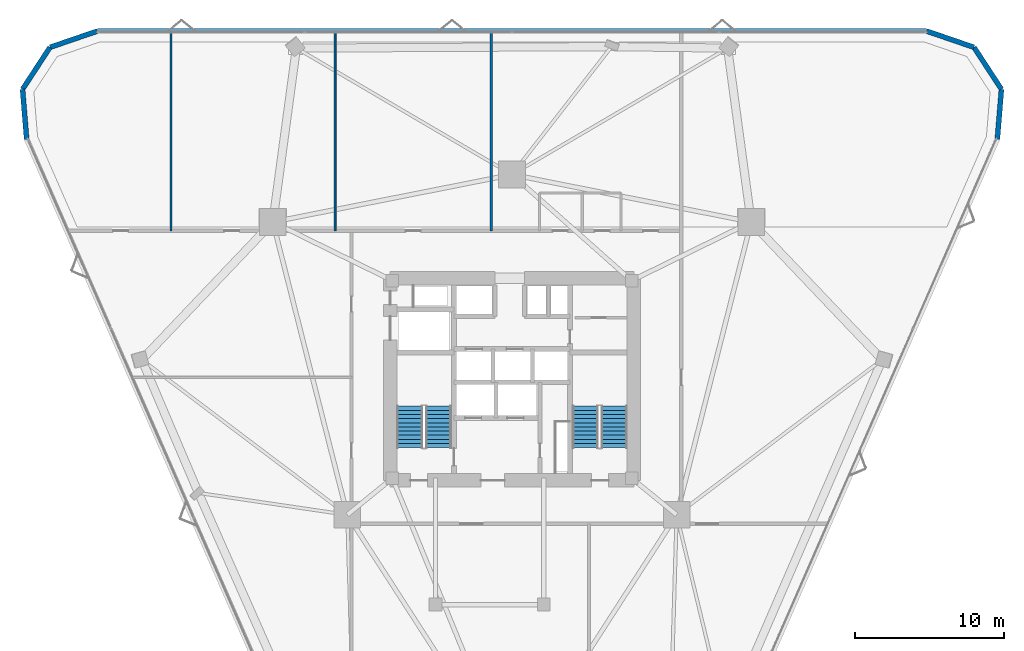
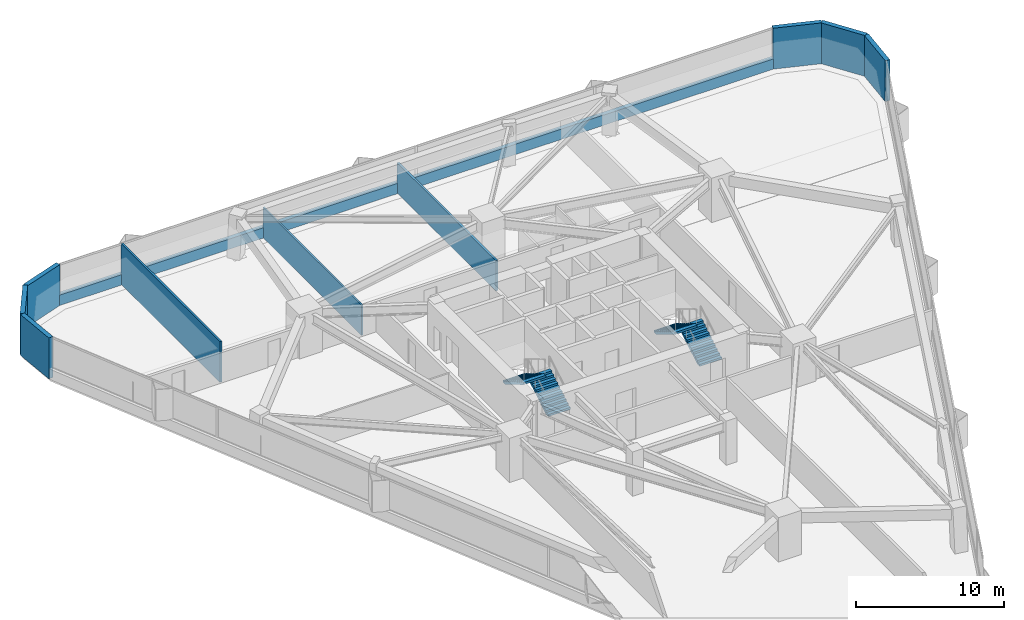
# One storey, part 19 of 21: 10 walls, 4 stair flights, 2 elements without a shape of their own.
"""IFC4 building model written with IfcOpenShell, lengths in metres."""

from ifc_helpers import new_model, si_unit, direction, frame, frame_2d, origin, place, context, subcontext, project, spatial, polyline, rectangle, outline, extrude, material, layer, layer_set, type_object, element, aggregate, save


model = new_model("IFC4")

# Units and contexts
model_context = context("Model", 3, precision=1e-05, world=origin(), true_north=direction((0.0, 1.0)))
body_context = subcontext(model_context, "Body", "Model", "MODEL_VIEW")
ifc_project = project(units=[si_unit("LENGTHUNIT", "METRE"), si_unit("AREAUNIT", "SQUARE_METRE"), si_unit("VOLUMEUNIT", "CUBIC_METRE"), si_unit("PLANEANGLEUNIT", "RADIAN"), si_unit("MASSUNIT", "GRAM", prefix="KILO")], contexts=[model_context])

# Site, building, storey
site_placement = place(None, origin())
site = spatial("IfcSite", under=ifc_project, at=site_placement, CompositionType="ELEMENT")
building_placement = place(site_placement, origin())
building = spatial("IfcBuilding", under=site, at=building_placement, Name="Talyreon Biosciences Tower", CompositionType="ELEMENT")
storey_placement = place(building_placement, frame((0.0, 0.0, 55.64990234375)))
storey = spatial("IfcBuildingStorey", under=building, at=storey_placement, Name="L14", CompositionType="ELEMENT", Elevation=55.64990234375)

# Walls
ifc_material_1 = material(Name="Gypsum acoustic stud partition", Category="gypsum")
ifc_layer_1 = layer(ifc_material_1, 0.159912109375)
ifc_layer_set_1 = layer_set([ifc_layer_1], Name="Gypsum acoustic stud partition")
wall_type_1 = type_object("IfcWallType", Name="LabSeparationPartition_160", PredefinedType="PARTITIONING", material=ifc_layer_set_1)
wall_1_placement = place(storey_placement, frame((43.041015625, 78.0, 0.0), z_axis=(0.0, 0.0, 1.0), x_axis=(0.0, 1.0, 0.0)))
element("IfcWall", 1, at=wall_1_placement, inside=storey, type_object=wall_type_1, Name="L14 Interior Wall IW-L14-NDIV1", PredefinedType="PARTITIONING", context=body_context, shape_type="SweptSolid", body=[
    extrude(rectangle(XDim=13.368896484375, YDim=0.159912109375, at=frame_2d((6.6845703125, 0.0))), origin(), (0.0, 0.0, 1.0), 3.375),
])
wall_2_placement = place(storey_placement, frame((64.60009765625, 78.0, 0.0), z_axis=(0.0, 0.0, 1.0), x_axis=(0.0, 1.0, 0.0)))
element("IfcWall", 2, at=wall_2_placement, inside=storey, type_object=wall_type_1, Name="L14 Interior Wall IW-L14-NDIV3", PredefinedType="PARTITIONING", context=body_context, shape_type="SweptSolid", body=[
    extrude(rectangle(XDim=13.368896484375, YDim=0.159912109375, at=frame_2d((6.6845703125, 0.0))), origin(), (0.0, 0.0, 1.0), 2.505126953125),
])
ifc_layer_2 = layer(ifc_material_1, 0.1298828125)
ifc_layer_set_2 = layer_set([ifc_layer_2], Name="Gypsum acoustic stud partition")
wall_type_2 = type_object("IfcWallType", Name="OfficeWriteupPartition_130", PredefinedType="PARTITIONING", material=ifc_layer_set_2)
wall_3_placement = place(storey_placement, frame((54.093994140625, 78.0, 0.0), z_axis=(0.0, 0.0, 1.0), x_axis=(0.0, 1.0, 0.0)))
element("IfcWall", 3, at=wall_3_placement, inside=storey, type_object=wall_type_2, Name="L14 Interior Wall IW-L14-NDIV2", PredefinedType="PARTITIONING", context=body_context, shape_type="SweptSolid", body=[
    extrude(rectangle(XDim=13.368896484375, YDim=0.1298828125, at=frame_2d((6.6845703125, 0.0))), origin(), (0.0, 0.0, 1.0), 2.505126953125),
])
ifc_material_2 = material(Name="Precast concrete C45/55", Category="concrete")
ifc_layer_3 = layer(ifc_material_2, 0.340087890625)
ifc_layer_set_3 = layer_set([ifc_layer_3], Name="Precast concrete C45/55")
wall_type_3 = type_object("IfcWallType", Name="PrecastConcreteSpandrelWall_340", PredefinedType="STANDARD", material=ifc_layer_set_3)
wall_4_placement = place(storey_placement, frame((33.32080078125, 84.168701171875, 0.0), z_axis=(0.0, 0.0, 1.0), x_axis=(-0.081866354697, 0.996643316322, 0.0)))
element("IfcWall", 4, at=wall_4_placement, inside=storey, type_object=wall_type_3, Name="L14 Rounded-Corner Concrete Pier 01", PredefinedType="STANDARD", context=body_context, shape_type="SweptSolid", body=[
    extrude(rectangle(XDim=3.375732421875, YDim=0.340087890625, at=frame_2d((1.68798828125, 0.0))), origin(), (0.0, 0.0, 1.0), 3.375),
])
for number, where, z_axis, x_axis, name in (
    (5, (33.04443359375, 87.533203125, 0.0), (0.0, 0.0, 1.0), (0.547284438328, 0.836946679045, 0.0), "L14 Rounded-Corner Concrete Pier 02"),
    (6, (34.891845703125, 90.3583984375, 0.0), (0.0, 0.0, 1.0), (0.945876821371, 0.324525867678, 0.0), "L14 Rounded-Corner Concrete Pier 03"),
):
    element("IfcWall", number, at=place(storey_placement, frame(where, z_axis=z_axis, x_axis=x_axis)), inside=storey, type_object=wall_type_3, Name=name, PredefinedType="STANDARD", context=body_context, shape_type="SweptSolid", body=[
        extrude(rectangle(XDim=3.37548828125, YDim=0.340087890625, at=frame_2d((1.687744140625, 0.0))), origin(), (0.0, 0.0, 1.0), 3.375),
    ])
wall_5_placement = place(storey_placement, frame((38.084716796875, 91.453857421875, 0.0), z_axis=(0.0, 0.0, 1.0), x_axis=(1.0, 0.0, 0.0)))
element("IfcWall", 7, at=wall_5_placement, inside=storey, type_object=wall_type_3, Name="L14 Expressed Concrete Sill Wall 04", PredefinedType="STANDARD", context=body_context, shape_type="SweptSolid", body=[
    extrude(rectangle(XDim=55.83056640625, YDim=0.340087890625, at=frame_2d((27.915283203125, 0.0))), origin(), (0.0, 0.0, 1.0), 0.85009765625),
])
for number, where, z_axis, x_axis, name in (
    (8, (93.915283203125, 91.453857421875, 0.0), (0.0, 0.0, 1.0), (0.945876821371, -0.324525867678, 0.0), "L14 Rounded-Corner Concrete Pier 05"),
    (9, (97.108154296875, 90.3583984375, 0.0), (0.0, 0.0, 1.0), (0.547284438328, -0.836946679045, 0.0), "L14 Rounded-Corner Concrete Pier 06"),
):
    element("IfcWall", number, at=place(storey_placement, frame(where, z_axis=z_axis, x_axis=x_axis)), inside=storey, type_object=wall_type_3, Name=name, PredefinedType="STANDARD", context=body_context, shape_type="SweptSolid", body=[
        extrude(rectangle(XDim=3.37548828125, YDim=0.340087890625, at=frame_2d((1.687744140625, 0.0))), origin(), (0.0, 0.0, 1.0), 3.375),
    ])
wall_6_placement = place(storey_placement, frame((98.95556640625, 87.533203125, 0.0), z_axis=(0.0, 0.0, 1.0), x_axis=(-0.081866354697, -0.996643316322, 0.0)))
element("IfcWall", 10, at=wall_6_placement, inside=storey, type_object=wall_type_3, Name="L14 Rounded-Corner Concrete Pier 07", PredefinedType="STANDARD", context=body_context, shape_type="SweptSolid", body=[
    extrude(rectangle(XDim=3.375732421875, YDim=0.340087890625, at=frame_2d((1.68798828125, 0.0))), origin(), (0.0, 0.0, 1.0), 3.375),
])

# Stair, stair flights
ifc_material_3 = material(Name="Concrete C40/50", Category="concrete")
stair_type = type_object("IfcStairType", Name="DoglegEscapeStair_3650", PredefinedType="HALF_TURN_STAIR", material=ifc_material_3)
stair_1_placement = place(storey_placement, origin())
stair_1 = element("IfcStair", 11, at=stair_1_placement, inside=storey, type_object=stair_type, Name="L14 Core Escape Stair 1", PredefinedType="HALF_TURN_STAIR")
stair_flight_type = type_object("IfcStairFlightType", Name="PrecastStairFlight_3650", PredefinedType="STRAIGHT", material=ifc_material_3)
stair_flight_1_placement = place(storey_placement, frame((61.06005859375, 63.39990234375, 0.0), z_axis=(0.0, 0.0, 1.0), x_axis=(0.0, 1.0, 0.0)))
stair_flight_1 = element("IfcStairFlight", 12, at=stair_flight_1_placement, type_object=stair_flight_type, Name="ST-1 flight 1", NumberOfRisers=11, NumberOfTreads=10, PredefinedType="STRAIGHT", RiserHeight=0.165909091, TreadLength=0.28, context=body_context, shape_type="SweptSolid", body=[
    extrude(outline(polyline([(0.0, 0.0), (0.0, 0.166015625), (0.280029296875, 0.166015625), (0.280029296875, 0.331787109375), (0.56005859375, 0.331787109375), (0.56005859375, 0.497802734375), (0.840087890625, 0.497802734375), (0.840087890625, 0.66357421875), (1.1201171875, 0.66357421875), (1.1201171875, 0.82958984375), (1.39990234375, 0.82958984375), (1.39990234375, 0.995361328125), (1.679931640625, 0.995361328125), (1.679931640625, 1.161376953125), (1.9599609375, 1.161376953125), (1.9599609375, 1.327392578125), (2.239990234375, 1.327392578125), (2.239990234375, 1.4931640625), (2.52001953125, 1.4931640625), (2.52001953125, 1.6591796875), (2.800048828125, 1.6591796875), (2.800048828125, 1.824951171875), (2.800048828125, 1.48486328125), (0.2939453125, 0.0), (0.0, 0.0)])), frame((0.0, 0.8701171875, 0.0), z_axis=(0.0, -1.0, 0.0), x_axis=(1.0, 0.0, 0.0)), (0.0, 0.0, 1.0), 1.739990234375),
])
stair_flight_2_placement = place(storey_placement, frame((59.1201171875, 66.199951171875, 1.8251953125), z_axis=(0.0, 0.0, 1.0), x_axis=(0.0, -1.0, 0.0)))
stair_flight_2 = element("IfcStairFlight", 13, at=stair_flight_2_placement, type_object=stair_flight_type, Name="ST-1 flight 2", NumberOfRisers=11, NumberOfTreads=10, PredefinedType="STRAIGHT", RiserHeight=0.165909091, TreadLength=0.28, context=body_context, shape_type="SweptSolid", body=[
    extrude(outline(polyline([(0.0, 0.0), (0.0, 0.166015625), (0.280029296875, 0.166015625), (0.280029296875, 0.331787109375), (0.56005859375, 0.331787109375), (0.56005859375, 0.497802734375), (0.840087890625, 0.497802734375), (0.840087890625, 0.66357421875), (1.1201171875, 0.66357421875), (1.1201171875, 0.82958984375), (1.39990234375, 0.82958984375), (1.39990234375, 0.995361328125), (1.679931640625, 0.995361328125), (1.679931640625, 1.161376953125), (1.9599609375, 1.161376953125), (1.9599609375, 1.327392578125), (2.239990234375, 1.327392578125), (2.239990234375, 1.4931640625), (2.52001953125, 1.4931640625), (2.52001953125, 1.6591796875), (2.800048828125, 1.6591796875), (2.800048828125, 1.824951171875), (2.800048828125, 1.48486328125), (0.2939453125, 0.0), (0.0, 0.0)])), frame((0.0, 0.8701171875, 0.0), z_axis=(0.0, -1.0, 0.0), x_axis=(1.0, 0.0, 0.0)), (0.0, 0.0, 1.0), 1.739990234375),
])
aggregate(stair_1, [stair_flight_1, stair_flight_2])

stair_2_placement = place(storey_placement, origin())
stair_2 = element("IfcStair", 14, at=stair_2_placement, inside=storey, type_object=stair_type, Name="L14 Core Escape Stair 2", PredefinedType="HALF_TURN_STAIR")
stair_flight_3_placement = place(storey_placement, frame((72.8798828125, 63.39990234375, 0.0), z_axis=(0.0, 0.0, 1.0), x_axis=(0.0, 1.0, 0.0)))
stair_flight_3 = element("IfcStairFlight", 15, at=stair_flight_3_placement, type_object=stair_flight_type, Name="ST-2 flight 1", NumberOfRisers=11, NumberOfTreads=10, PredefinedType="STRAIGHT", RiserHeight=0.165909091, TreadLength=0.28, context=body_context, shape_type="SweptSolid", body=[
    extrude(outline(polyline([(0.0, 0.0), (0.0, 0.166015625), (0.280029296875, 0.166015625), (0.280029296875, 0.331787109375), (0.56005859375, 0.331787109375), (0.56005859375, 0.497802734375), (0.840087890625, 0.497802734375), (0.840087890625, 0.66357421875), (1.1201171875, 0.66357421875), (1.1201171875, 0.82958984375), (1.39990234375, 0.82958984375), (1.39990234375, 0.995361328125), (1.679931640625, 0.995361328125), (1.679931640625, 1.161376953125), (1.9599609375, 1.161376953125), (1.9599609375, 1.327392578125), (2.239990234375, 1.327392578125), (2.239990234375, 1.4931640625), (2.52001953125, 1.4931640625), (2.52001953125, 1.6591796875), (2.800048828125, 1.6591796875), (2.800048828125, 1.824951171875), (2.800048828125, 1.48486328125), (0.2939453125, 0.0), (0.0, 0.0)])), frame((0.0, 0.8701171875, 0.0), z_axis=(0.0, -1.0, 0.0), x_axis=(1.0, 0.0, 0.0)), (0.0, 0.0, 1.0), 1.739990234375),
])
stair_flight_4_placement = place(storey_placement, frame((70.93994140625, 66.199951171875, 1.8251953125), z_axis=(0.0, 0.0, 1.0), x_axis=(0.0, -1.0, 0.0)))
stair_flight_4 = element("IfcStairFlight", 16, at=stair_flight_4_placement, type_object=stair_flight_type, Name="ST-2 flight 2", NumberOfRisers=11, NumberOfTreads=10, PredefinedType="STRAIGHT", RiserHeight=0.165909091, TreadLength=0.28, context=body_context, shape_type="SweptSolid", body=[
    extrude(outline(polyline([(0.0, 0.0), (0.0, 0.166015625), (0.280029296875, 0.166015625), (0.280029296875, 0.331787109375), (0.56005859375, 0.331787109375), (0.56005859375, 0.497802734375), (0.840087890625, 0.497802734375), (0.840087890625, 0.66357421875), (1.1201171875, 0.66357421875), (1.1201171875, 0.82958984375), (1.39990234375, 0.82958984375), (1.39990234375, 0.995361328125), (1.679931640625, 0.995361328125), (1.679931640625, 1.161376953125), (1.9599609375, 1.161376953125), (1.9599609375, 1.327392578125), (2.239990234375, 1.327392578125), (2.239990234375, 1.4931640625), (2.52001953125, 1.4931640625), (2.52001953125, 1.6591796875), (2.800048828125, 1.6591796875), (2.800048828125, 1.824951171875), (2.800048828125, 1.48486328125), (0.2939453125, 0.0), (0.0, 0.0)])), frame((0.0, 0.8701171875, 0.0), z_axis=(0.0, -1.0, 0.0), x_axis=(1.0, 0.0, 0.0)), (0.0, 0.0, 1.0), 1.739990234375),
])
aggregate(stair_2, [stair_flight_3, stair_flight_4])

save(model, "model.ifc")
